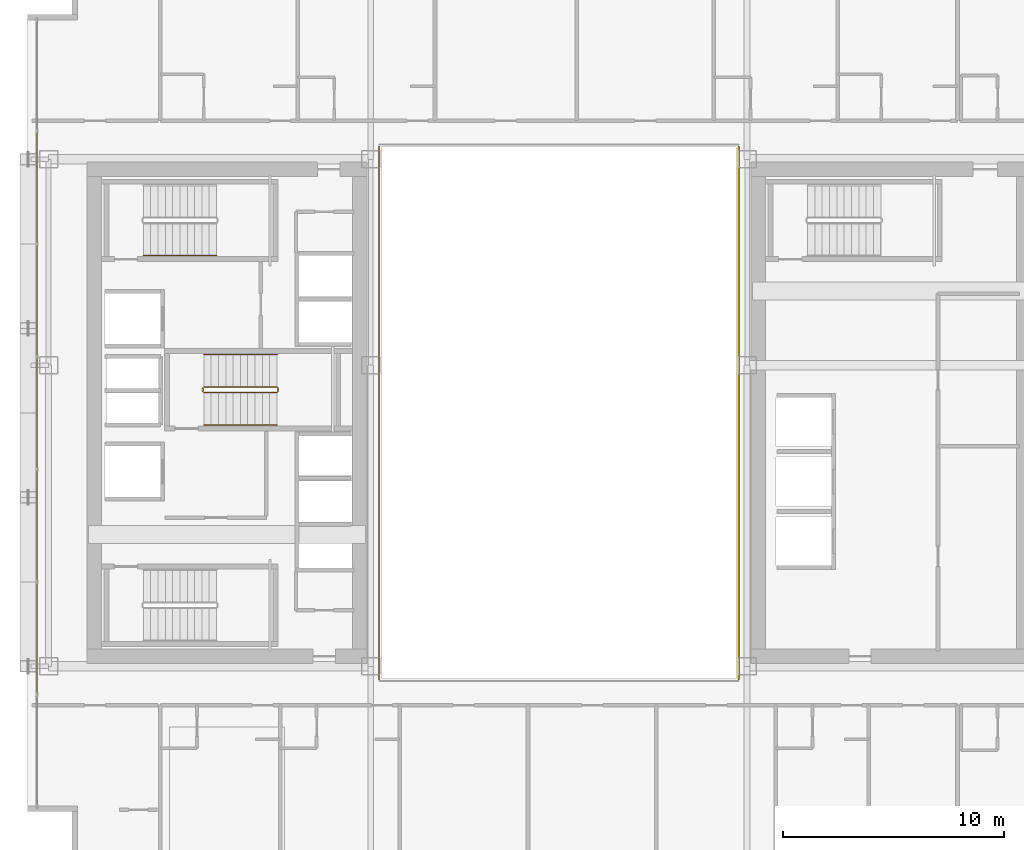
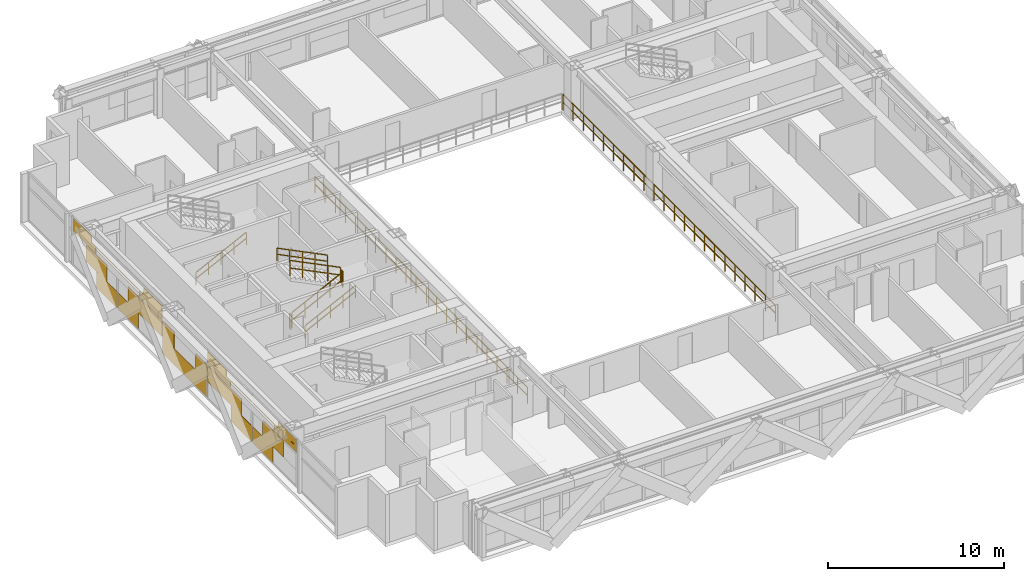
# One storey, part 33 of 35: 9 railings, 1 covering.
"""IFC4 building model written with IfcOpenShell, lengths in metres."""

from ifc_helpers import new_model, si_unit, direction, frame, origin, origin_2d, place, context, subcontext, project, spatial, rectangle, extrude, material, layer, layer_set, type_object, element, save


model = new_model("IFC4")

# Units and contexts
model_context = context("Model", 3, precision=1e-05, world=origin(), true_north=direction((0.0, 1.0)))
body_context = subcontext(model_context, "Body", "Model", "MODEL_VIEW")
ifc_project = project(units=[si_unit("LENGTHUNIT", "METRE"), si_unit("AREAUNIT", "SQUARE_METRE"), si_unit("VOLUMEUNIT", "CUBIC_METRE"), si_unit("PLANEANGLEUNIT", "RADIAN"), si_unit("MASSUNIT", "GRAM", prefix="KILO")], contexts=[model_context])

# Site, building, storey
site_placement = place(None, origin())
site = spatial("IfcSite", under=ifc_project, at=site_placement, CompositionType="ELEMENT")
building_placement = place(site_placement, origin())
building = spatial("IfcBuilding", under=site, at=building_placement, Name="Ocotamira Hotel", CompositionType="ELEMENT")
storey_placement = place(building_placement, frame((0.0, 0.0, 122.39990234375)))
storey = spatial("IfcBuildingStorey", under=building, at=storey_placement, Name="L30", CompositionType="ELEMENT", Elevation=122.39990234375)

# Covering
ifc_material_1 = material(Name="Insulated pale-metal aluminium spandrel panel", Category="aluminium")
ifc_layer = layer(ifc_material_1, 0.044921875)
ifc_layer_set = layer_set([ifc_layer], Name="Insulated pale-metal aluminium spandrel panel")
covering_type = type_object("IfcCoveringType", Name="COV-INFILL-45", PredefinedType="CLADDING", material=ifc_layer_set)
covering_placement = place(storey_placement, origin())
element("IfcCovering", 1, at=covering_placement, inside=storey, type_object=covering_type, Name="L30 Curtain Wall Infill CW-3 CW-L30-W", PredefinedType="CLADDING", context=body_context, shape_type="SweptSolid", body=[
    extrude(rectangle(XDim=2.35107421875, YDim=0.044921875, at=origin_2d()), frame((8.419921875, 15.988525390625, 1.1943359375), z_axis=(0.0, 0.0, 1.0), x_axis=(0.0, 1.0, 0.0)), (0.0, 0.0, 1.0), 1.117919921875),
    extrude(rectangle(XDim=2.331787109375, YDim=0.044921875, at=origin_2d()), frame((8.419921875, 17.1650390625, 0.07568359375), z_axis=(0.0, 0.0, 1.0), x_axis=(0.0, 1.0, 0.0)), (0.0, 0.0, 1.0), 1.117919921875),
    extrude(rectangle(XDim=2.572265625, YDim=0.044921875, at=origin_2d()), frame((8.419921875, 14.6123046875, 2.38818359375), z_axis=(0.0, 0.0, 1.0), x_axis=(0.0, 1.0, 0.0)), (0.0, 0.0, 1.0), 0.413330078125),
    extrude(rectangle(XDim=5.004638671875, YDim=0.044921875, at=origin_2d()), frame((8.419921875, 15.82861328125, 2.802490234375), z_axis=(0.0, 0.0, 1.0), x_axis=(0.0, 1.0, 0.0)), (0.0, 0.0, 1.0), 0.033203125),
    extrude(rectangle(XDim=2.096435546875, YDim=0.044921875, at=origin_2d()), frame((8.419921875, 14.37451171875, 2.8369140625), z_axis=(0.0, 0.0, 1.0), x_axis=(0.0, 1.0, 0.0)), (0.0, 0.0, 1.0), 0.44775390625),
    extrude(rectangle(XDim=2.322265625, YDim=0.044921875, at=origin_2d()), frame((8.419921875, 19.572998046875, 0.07568359375), z_axis=(0.0, 0.0, 1.0), x_axis=(0.0, 1.0, 0.0)), (0.0, 0.0, 1.0), 1.117919921875),
    extrude(rectangle(XDim=3.847412109375, YDim=0.044921875, at=origin_2d()), frame((8.419921875, 21.492919921875, 1.1943359375), z_axis=(0.0, 0.0, 1.0), x_axis=(0.0, 1.0, 0.0)), (0.0, 0.0, 1.0), 1.117919921875),
    extrude(rectangle(XDim=5.004638671875, YDim=0.044921875, at=origin_2d()), frame((8.419921875, 20.914306640625, 2.802490234375), z_axis=(0.0, 0.0, 1.0), x_axis=(0.0, 1.0, 0.0)), (0.0, 0.0, 1.0), 0.033203125),
    extrude(rectangle(XDim=2.581787109375, YDim=0.044921875, at=origin_2d()), frame((8.419921875, 22.125732421875, 2.38818359375), z_axis=(0.0, 0.0, 1.0), x_axis=(0.0, 1.0, 0.0)), (0.0, 0.0, 1.0), 0.413330078125),
    extrude(rectangle(XDim=2.106201171875, YDim=0.044921875, at=origin_2d()), frame((8.419921875, 22.363525390625, 2.8369140625), z_axis=(0.0, 0.0, 1.0), x_axis=(0.0, 1.0, 0.0)), (0.0, 0.0, 1.0), 0.44775390625),
    extrude(rectangle(XDim=5.004638671875, YDim=0.044921875, at=origin_2d()), frame((8.419921875, 26.0, 0.07568359375), z_axis=(0.0, 0.0, 1.0), x_axis=(0.0, 1.0, 0.0)), (0.0, 0.0, 1.0), 1.117919921875),
    extrude(rectangle(XDim=1.2998046875, YDim=0.044921875, at=origin_2d()), frame((8.419921875, 24.1474609375, 1.1943359375), z_axis=(0.0, 0.0, 1.0), x_axis=(0.0, 1.0, 0.0)), (0.0, 0.0, 1.0), 1.117919921875),
    extrude(rectangle(XDim=1.2998046875, YDim=0.044921875, at=origin_2d()), frame((8.419921875, 27.8525390625, 1.1943359375), z_axis=(0.0, 0.0, 1.0), x_axis=(0.0, 1.0, 0.0)), (0.0, 0.0, 1.0), 1.117919921875),
    extrude(rectangle(XDim=3.847412109375, YDim=0.044921875, at=origin_2d()), frame((8.419921875, 30.507080078125, 1.1943359375), z_axis=(0.0, 0.0, 1.0), x_axis=(0.0, 1.0, 0.0)), (0.0, 0.0, 1.0), 1.117919921875),
    extrude(rectangle(XDim=2.322265625, YDim=0.044921875, at=origin_2d()), frame((8.419921875, 32.427001953125, 0.07568359375), z_axis=(0.0, 0.0, 1.0), x_axis=(0.0, 1.0, 0.0)), (0.0, 0.0, 1.0), 1.117919921875),
    extrude(rectangle(XDim=2.581787109375, YDim=0.044921875, at=origin_2d()), frame((8.419921875, 29.874267578125, 2.38818359375), z_axis=(0.0, 0.0, 1.0), x_axis=(0.0, 1.0, 0.0)), (0.0, 0.0, 1.0), 0.413330078125),
    extrude(rectangle(XDim=5.004638671875, YDim=0.044921875, at=origin_2d()), frame((8.419921875, 31.085693359375, 2.802490234375), z_axis=(0.0, 0.0, 1.0), x_axis=(0.0, 1.0, 0.0)), (0.0, 0.0, 1.0), 0.033203125),
    extrude(rectangle(XDim=2.106201171875, YDim=0.044921875, at=origin_2d()), frame((8.419921875, 29.636474609375, 2.8369140625), z_axis=(0.0, 0.0, 1.0), x_axis=(0.0, 1.0, 0.0)), (0.0, 0.0, 1.0), 0.44775390625),
    extrude(rectangle(XDim=2.331787109375, YDim=0.044921875, at=origin_2d()), frame((8.419921875, 34.8349609375, 0.07568359375), z_axis=(0.0, 0.0, 1.0), x_axis=(0.0, 1.0, 0.0)), (0.0, 0.0, 1.0), 1.117919921875),
    extrude(rectangle(XDim=2.35107421875, YDim=0.044921875, at=origin_2d()), frame((8.419921875, 36.011474609375, 1.1943359375), z_axis=(0.0, 0.0, 1.0), x_axis=(0.0, 1.0, 0.0)), (0.0, 0.0, 1.0), 1.117919921875),
    extrude(rectangle(XDim=5.004638671875, YDim=0.044921875, at=origin_2d()), frame((8.419921875, 36.17138671875, 2.802490234375), z_axis=(0.0, 0.0, 1.0), x_axis=(0.0, 1.0, 0.0)), (0.0, 0.0, 1.0), 0.033203125),
    extrude(rectangle(XDim=2.572265625, YDim=0.044921875, at=origin_2d()), frame((8.419921875, 37.3876953125, 2.38818359375), z_axis=(0.0, 0.0, 1.0), x_axis=(0.0, 1.0, 0.0)), (0.0, 0.0, 1.0), 0.413330078125),
    extrude(rectangle(XDim=2.096435546875, YDim=0.044921875, at=origin_2d()), frame((8.419921875, 37.62548828125, 2.8369140625), z_axis=(0.0, 0.0, 1.0), x_axis=(0.0, 1.0, 0.0)), (0.0, 0.0, 1.0), 0.44775390625),
])

# Railings
ifc_material_2 = material(Name="Painted steel stair guardrail", Category="steel")
railing_type_1 = type_object("IfcRailingType", Name="RL-EDGE-1150", PredefinedType="GUARDRAIL", material=ifc_material_2)
railing_1_placement = place(storey_placement, frame((40.1201171875, 13.9599609375, 0.0)))
element("IfcRailing", 2, at=railing_1_placement, inside=storey, type_object=railing_type_1, Name="L30 Central Atrium Edge Guardrail E", PredefinedType="GUARDRAIL", context=body_context, shape_type="SweptSolid", body=[
    extrude(rectangle(XDim=0.048095703125, YDim=0.048095703125, at=origin_2d()), frame((0.0, 0.0, 1.1259765625), z_axis=(0.0, 1.0, 0.0), x_axis=(-1.0, 0.0, 0.0)), (0.0, 0.0, 1.0), 24.080078125),
    extrude(rectangle(XDim=0.048095703125, YDim=0.048095703125, at=origin_2d()), frame((0.0, 0.0, 0.574951171875), z_axis=(0.0, 1.0, 0.0), x_axis=(-1.0, 0.0, 0.0)), (0.0, 0.0, 1.0), 24.080078125),
    extrude(rectangle(XDim=0.0419921875, YDim=0.0419921875, at=origin_2d()), origin(), (0.0, 0.0, 1.0), 1.101806640625),
    extrude(rectangle(XDim=0.0419921875, YDim=0.0419921875, at=origin_2d()), frame((0.0, 1.146728515625, 0.0)), (0.0, 0.0, 1.0), 1.101806640625),
    extrude(rectangle(XDim=0.0419921875, YDim=0.0419921875, at=origin_2d()), frame((0.0, 2.29345703125, 0.0)), (0.0, 0.0, 1.0), 1.101806640625),
    extrude(rectangle(XDim=0.0419921875, YDim=0.0419921875, at=origin_2d()), frame((0.0, 3.43994140625, 0.0)), (0.0, 0.0, 1.0), 1.101806640625),
    extrude(rectangle(XDim=0.0419921875, YDim=0.0419921875, at=origin_2d()), frame((0.0, 4.586669921875, 0.0)), (0.0, 0.0, 1.0), 1.101806640625),
    extrude(rectangle(XDim=0.0419921875, YDim=0.0419921875, at=origin_2d()), frame((0.0, 5.7333984375, 0.0)), (0.0, 0.0, 1.0), 1.101806640625),
    extrude(rectangle(XDim=0.0419921875, YDim=0.0419921875, at=origin_2d()), frame((0.0, 6.880126953125, 0.0)), (0.0, 0.0, 1.0), 1.101806640625),
    extrude(rectangle(XDim=0.0419921875, YDim=0.0419921875, at=origin_2d()), frame((0.0, 8.026611328125, 0.0)), (0.0, 0.0, 1.0), 1.101806640625),
    extrude(rectangle(XDim=0.0419921875, YDim=0.0419921875, at=origin_2d()), frame((0.0, 9.17333984375, 0.0)), (0.0, 0.0, 1.0), 1.101806640625),
    extrude(rectangle(XDim=0.0419921875, YDim=0.0419921875, at=origin_2d()), frame((0.0, 10.320068359375, 0.0)), (0.0, 0.0, 1.0), 1.101806640625),
    extrude(rectangle(XDim=0.0419921875, YDim=0.0419921875, at=origin_2d()), frame((0.0, 11.466796875, 0.0)), (0.0, 0.0, 1.0), 1.101806640625),
    extrude(rectangle(XDim=0.0419921875, YDim=0.0419921875, at=origin_2d()), frame((0.0, 12.61328125, 0.0)), (0.0, 0.0, 1.0), 1.101806640625),
    extrude(rectangle(XDim=0.0419921875, YDim=0.0419921875, at=origin_2d()), frame((0.0, 13.760009765625, 0.0)), (0.0, 0.0, 1.0), 1.101806640625),
    extrude(rectangle(XDim=0.0419921875, YDim=0.0419921875, at=origin_2d()), frame((0.0, 14.90673828125, 0.0)), (0.0, 0.0, 1.0), 1.101806640625),
    extrude(rectangle(XDim=0.0419921875, YDim=0.0419921875, at=origin_2d()), frame((0.0, 16.053466796875, 0.0)), (0.0, 0.0, 1.0), 1.101806640625),
    extrude(rectangle(XDim=0.0419921875, YDim=0.0419921875, at=origin_2d()), frame((0.0, 17.199951171875, 0.0)), (0.0, 0.0, 1.0), 1.101806640625),
    extrude(rectangle(XDim=0.0419921875, YDim=0.0419921875, at=origin_2d()), frame((0.0, 18.3466796875, 0.0)), (0.0, 0.0, 1.0), 1.101806640625),
    extrude(rectangle(XDim=0.0419921875, YDim=0.0419921875, at=origin_2d()), frame((0.0, 19.493408203125, 0.0)), (0.0, 0.0, 1.0), 1.101806640625),
    extrude(rectangle(XDim=0.0419921875, YDim=0.0419921875, at=origin_2d()), frame((0.0, 20.64013671875, 0.0)), (0.0, 0.0, 1.0), 1.101806640625),
    extrude(rectangle(XDim=0.0419921875, YDim=0.0419921875, at=origin_2d()), frame((0.0, 21.78662109375, 0.0)), (0.0, 0.0, 1.0), 1.101806640625),
    extrude(rectangle(XDim=0.0419921875, YDim=0.0419921875, at=origin_2d()), frame((0.0, 22.933349609375, 0.0)), (0.0, 0.0, 1.0), 1.101806640625),
    extrude(rectangle(XDim=0.0419921875, YDim=0.0419921875, at=origin_2d()), frame((0.0, 24.080078125, 0.0)), (0.0, 0.0, 1.0), 1.101806640625),
])
railing_2_placement = place(storey_placement, frame((23.8798828125, 38.0400390625, 0.0)))
element("IfcRailing", 3, at=railing_2_placement, inside=storey, type_object=railing_type_1, Name="L30 Central Atrium Edge Guardrail W", PredefinedType="GUARDRAIL", context=body_context, shape_type="SweptSolid", body=[
    extrude(rectangle(XDim=0.048095703125, YDim=0.048095703125, at=origin_2d()), frame((0.0, 0.0, 1.1259765625), z_axis=(0.0, -1.0, 0.0), x_axis=(1.0, 0.0, 0.0)), (0.0, 0.0, 1.0), 24.080078125),
    extrude(rectangle(XDim=0.048095703125, YDim=0.048095703125, at=origin_2d()), frame((0.0, 0.0, 0.574951171875), z_axis=(0.0, -1.0, 0.0), x_axis=(1.0, 0.0, 0.0)), (0.0, 0.0, 1.0), 24.080078125),
    extrude(rectangle(XDim=0.0419921875, YDim=0.0419921875, at=origin_2d()), origin(), (0.0, 0.0, 1.0), 1.101806640625),
    extrude(rectangle(XDim=0.0419921875, YDim=0.0419921875, at=origin_2d()), frame((0.0, -1.146728515625, 0.0)), (0.0, 0.0, 1.0), 1.101806640625),
    extrude(rectangle(XDim=0.0419921875, YDim=0.0419921875, at=origin_2d()), frame((0.0, -2.29345703125, 0.0)), (0.0, 0.0, 1.0), 1.101806640625),
    extrude(rectangle(XDim=0.0419921875, YDim=0.0419921875, at=origin_2d()), frame((0.0, -3.43994140625, 0.0)), (0.0, 0.0, 1.0), 1.101806640625),
    extrude(rectangle(XDim=0.0419921875, YDim=0.0419921875, at=origin_2d()), frame((0.0, -4.586669921875, 0.0)), (0.0, 0.0, 1.0), 1.101806640625),
    extrude(rectangle(XDim=0.0419921875, YDim=0.0419921875, at=origin_2d()), frame((0.0, -5.7333984375, 0.0)), (0.0, 0.0, 1.0), 1.101806640625),
    extrude(rectangle(XDim=0.0419921875, YDim=0.0419921875, at=origin_2d()), frame((0.0, -6.880126953125, 0.0)), (0.0, 0.0, 1.0), 1.101806640625),
    extrude(rectangle(XDim=0.0419921875, YDim=0.0419921875, at=origin_2d()), frame((0.0, -8.026611328125, 0.0)), (0.0, 0.0, 1.0), 1.101806640625),
    extrude(rectangle(XDim=0.0419921875, YDim=0.0419921875, at=origin_2d()), frame((0.0, -9.17333984375, 0.0)), (0.0, 0.0, 1.0), 1.101806640625),
    extrude(rectangle(XDim=0.0419921875, YDim=0.0419921875, at=origin_2d()), frame((0.0, -10.320068359375, 0.0)), (0.0, 0.0, 1.0), 1.101806640625),
    extrude(rectangle(XDim=0.0419921875, YDim=0.0419921875, at=origin_2d()), frame((0.0, -11.466796875, 0.0)), (0.0, 0.0, 1.0), 1.101806640625),
    extrude(rectangle(XDim=0.0419921875, YDim=0.0419921875, at=origin_2d()), frame((0.0, -12.61328125, 0.0)), (0.0, 0.0, 1.0), 1.101806640625),
    extrude(rectangle(XDim=0.0419921875, YDim=0.0419921875, at=origin_2d()), frame((0.0, -13.760009765625, 0.0)), (0.0, 0.0, 1.0), 1.101806640625),
    extrude(rectangle(XDim=0.0419921875, YDim=0.0419921875, at=origin_2d()), frame((0.0, -14.90673828125, 0.0)), (0.0, 0.0, 1.0), 1.101806640625),
    extrude(rectangle(XDim=0.0419921875, YDim=0.0419921875, at=origin_2d()), frame((0.0, -16.053466796875, 0.0)), (0.0, 0.0, 1.0), 1.101806640625),
    extrude(rectangle(XDim=0.0419921875, YDim=0.0419921875, at=origin_2d()), frame((0.0, -17.199951171875, 0.0)), (0.0, 0.0, 1.0), 1.101806640625),
    extrude(rectangle(XDim=0.0419921875, YDim=0.0419921875, at=origin_2d()), frame((0.0, -18.3466796875, 0.0)), (0.0, 0.0, 1.0), 1.101806640625),
    extrude(rectangle(XDim=0.0419921875, YDim=0.0419921875, at=origin_2d()), frame((0.0, -19.493408203125, 0.0)), (0.0, 0.0, 1.0), 1.101806640625),
    extrude(rectangle(XDim=0.0419921875, YDim=0.0419921875, at=origin_2d()), frame((0.0, -20.64013671875, 0.0)), (0.0, 0.0, 1.0), 1.101806640625),
    extrude(rectangle(XDim=0.0419921875, YDim=0.0419921875, at=origin_2d()), frame((0.0, -21.78662109375, 0.0)), (0.0, 0.0, 1.0), 1.101806640625),
    extrude(rectangle(XDim=0.0419921875, YDim=0.0419921875, at=origin_2d()), frame((0.0, -22.933349609375, 0.0)), (0.0, 0.0, 1.0), 1.101806640625),
    extrude(rectangle(XDim=0.0419921875, YDim=0.0419921875, at=origin_2d()), frame((0.0, -24.080078125, 0.0)), (0.0, 0.0, 1.0), 1.101806640625),
])
ifc_material_3 = material(Name="Brushed stainless steel handrail", Category="steel")
railing_type_2 = type_object("IfcRailingType", Name="RL-HAND-900", PredefinedType="HANDRAIL", material=ifc_material_3)
for number, where, name in (
    (4, (13.22998046875, 33.10009765625, 0.327392578125), "L30 ST-2 stair handrail 1"),
    (5, (15.9599609375, 25.449951171875, 0.327392578125), "L30 ST-3 stair handrail 1"),
):
    element("IfcRailing", number, at=place(storey_placement, frame(where)), inside=storey, type_object=railing_type_2, Name=name, PredefinedType="HANDRAIL", context=body_context, shape_type="SweptSolid", body=[
        extrude(rectangle(XDim=0.048095703125, YDim=0.048095703125, at=origin_2d()), frame((0.0, 0.0, 0.8759765625), z_axis=(0.895920123917, 0.0, 0.444215186098), x_axis=(0.0, 1.0, 0.0)), (0.0, 0.0, 1.0), 3.683349609375),
        extrude(rectangle(XDim=0.048095703125, YDim=0.048095703125, at=origin_2d()), frame((0.0, 0.0, 0.449951171875), z_axis=(0.895920123917, 0.0, 0.444215186098), x_axis=(0.0, 1.0, 0.0)), (0.0, 0.0, 1.0), 3.683349609375),
        extrude(rectangle(XDim=0.0419921875, YDim=0.0419921875, at=origin_2d()), origin(), (0.0, 0.0, 1.0), 0.851806640625),
        extrude(rectangle(XDim=0.0419921875, YDim=0.0419921875, at=origin_2d()), frame((0.824951171875, 0.0, 0.4091796875)), (0.0, 0.0, 1.0), 0.851806640625),
        extrude(rectangle(XDim=0.0419921875, YDim=0.0419921875, at=origin_2d()), frame((1.64990234375, 0.0, 0.818115234375)), (0.0, 0.0, 1.0), 0.851806640625),
        extrude(rectangle(XDim=0.0419921875, YDim=0.0419921875, at=origin_2d()), frame((2.47509765625, 0.0, 1.22705078125)), (0.0, 0.0, 1.0), 0.851806640625),
        extrude(rectangle(XDim=0.0419921875, YDim=0.0419921875, at=origin_2d()), frame((3.300048828125, 0.0, 1.63623046875)), (0.0, 0.0, 1.0), 0.851806640625),
    ])
railing_3_placement = place(storey_placement, frame((19.260009765625, 28.6298828125, 2.12744140625)))
element("IfcRailing", 6, at=railing_3_placement, inside=storey, type_object=railing_type_2, Name="L30 ST-3 stair handrail 2", PredefinedType="HANDRAIL", context=body_context, shape_type="SweptSolid", body=[
    extrude(rectangle(XDim=0.048095703125, YDim=0.048095703125, at=origin_2d()), frame((0.0, 0.0, 0.8759765625), z_axis=(-0.895920123917, 0.0, 0.444215186098), x_axis=(0.0, -1.0, 0.0)), (0.0, 0.0, 1.0), 3.683349609375),
    extrude(rectangle(XDim=0.048095703125, YDim=0.048095703125, at=origin_2d()), frame((0.0, 0.0, 0.449951171875), z_axis=(-0.895920123917, 0.0, 0.444215186098), x_axis=(0.0, -1.0, 0.0)), (0.0, 0.0, 1.0), 3.683349609375),
    extrude(rectangle(XDim=0.0419921875, YDim=0.0419921875, at=origin_2d()), origin(), (0.0, 0.0, 1.0), 0.851806640625),
    extrude(rectangle(XDim=0.0419921875, YDim=0.0419921875, at=origin_2d()), frame((-0.824951171875, 0.0, 0.4091796875)), (0.0, 0.0, 1.0), 0.851806640625),
    extrude(rectangle(XDim=0.0419921875, YDim=0.0419921875, at=origin_2d()), frame((-1.64990234375, 0.0, 0.818115234375)), (0.0, 0.0, 1.0), 0.851806640625),
    extrude(rectangle(XDim=0.0419921875, YDim=0.0419921875, at=origin_2d()), frame((-2.47509765625, 0.0, 1.22705078125)), (0.0, 0.0, 1.0), 0.851806640625),
    extrude(rectangle(XDim=0.0419921875, YDim=0.0419921875, at=origin_2d()), frame((-3.300048828125, 0.0, 1.63623046875)), (0.0, 0.0, 1.0), 0.851806640625),
])
railing_type_3 = type_object("IfcRailingType", Name="RL-STAIR-1100", PredefinedType="GUARDRAIL", material=ifc_material_2)
railing_4_placement = place(storey_placement, frame((15.9599609375, 26.909912109375, 0.163818359375)))
element("IfcRailing", 7, at=railing_4_placement, inside=storey, type_object=railing_type_3, Name="L30 ST-3 stair guard 1", PredefinedType="GUARDRAIL", context=body_context, shape_type="SweptSolid", body=[
    extrude(rectangle(XDim=0.048095703125, YDim=0.048095703125, at=origin_2d()), frame((0.0, 0.0, 1.076171875), z_axis=(0.895920123917, 0.0, 0.444215186098), x_axis=(0.0, 1.0, 0.0)), (0.0, 0.0, 1.0), 3.683349609375),
    extrude(rectangle(XDim=0.048095703125, YDim=0.048095703125, at=origin_2d()), frame((0.0, 0.0, 0.550048828125), z_axis=(0.895920123917, 0.0, 0.444215186098), x_axis=(0.0, 1.0, 0.0)), (0.0, 0.0, 1.0), 3.683349609375),
    extrude(rectangle(XDim=0.0419921875, YDim=0.0419921875, at=origin_2d()), origin(), (0.0, 0.0, 1.0), 1.052001953125),
    extrude(rectangle(XDim=0.0419921875, YDim=0.0419921875, at=origin_2d()), frame((0.824951171875, 0.0, 0.4091796875)), (0.0, 0.0, 1.0), 1.052001953125),
    extrude(rectangle(XDim=0.0419921875, YDim=0.0419921875, at=origin_2d()), frame((1.64990234375, 0.0, 0.818115234375)), (0.0, 0.0, 1.0), 1.052001953125),
    extrude(rectangle(XDim=0.0419921875, YDim=0.0419921875, at=origin_2d()), frame((2.47509765625, 0.0, 1.22705078125)), (0.0, 0.0, 1.0), 1.052001953125),
    extrude(rectangle(XDim=0.0419921875, YDim=0.0419921875, at=origin_2d()), frame((3.300048828125, 0.0, 1.63623046875)), (0.0, 0.0, 1.0), 1.052001953125),
])
railing_5_placement = place(storey_placement, frame((19.31005859375, 26.9599609375, 1.800048828125)))
element("IfcRailing", 8, at=railing_5_placement, inside=storey, type_object=railing_type_3, Name="L30 ST-3 stair guard 2", PredefinedType="GUARDRAIL", context=body_context, shape_type="SweptSolid", body=[
    extrude(rectangle(XDim=0.048095703125, YDim=0.048095703125, at=origin_2d()), frame((0.0, 0.0, 1.076171875), z_axis=(0.0, 1.0, 0.0), x_axis=(-1.0, 0.0, 0.0)), (0.0, 0.0, 1.0), 0.16015625),
    extrude(rectangle(XDim=0.048095703125, YDim=0.048095703125, at=origin_2d()), frame((0.0, 0.0, 0.550048828125), z_axis=(0.0, 1.0, 0.0), x_axis=(-1.0, 0.0, 0.0)), (0.0, 0.0, 1.0), 0.16015625),
    extrude(rectangle(XDim=0.0419921875, YDim=0.0419921875, at=origin_2d()), origin(), (0.0, 0.0, 1.0), 1.052001953125),
    extrude(rectangle(XDim=0.0419921875, YDim=0.0419921875, at=origin_2d()), frame((0.0, 0.16015625, 0.0)), (0.0, 0.0, 1.0), 1.052001953125),
])
railing_6_placement = place(storey_placement, frame((19.260009765625, 27.169921875, 1.963623046875)))
element("IfcRailing", 9, at=railing_6_placement, inside=storey, type_object=railing_type_3, Name="L30 ST-3 stair guard 3", PredefinedType="GUARDRAIL", context=body_context, shape_type="SweptSolid", body=[
    extrude(rectangle(XDim=0.048095703125, YDim=0.048095703125, at=origin_2d()), frame((0.0, 0.0, 1.076171875), z_axis=(-0.895893744519, 0.0, 0.4442683857), x_axis=(0.0, -1.0, 0.0)), (0.0, 0.0, 1.0), 3.68359375),
    extrude(rectangle(XDim=0.048095703125, YDim=0.048095703125, at=origin_2d()), frame((0.0, 0.0, 0.550048828125), z_axis=(-0.895893744519, 0.0, 0.4442683857), x_axis=(0.0, -1.0, 0.0)), (0.0, 0.0, 1.0), 3.68359375),
    extrude(rectangle(XDim=0.0419921875, YDim=0.0419921875, at=origin_2d()), origin(), (0.0, 0.0, 1.0), 1.052001953125),
    extrude(rectangle(XDim=0.0419921875, YDim=0.0419921875, at=origin_2d()), frame((-0.824951171875, 0.0, 0.4091796875)), (0.0, 0.0, 1.0), 1.052001953125),
    extrude(rectangle(XDim=0.0419921875, YDim=0.0419921875, at=origin_2d()), frame((-1.64990234375, 0.0, 0.818359375)), (0.0, 0.0, 1.0), 1.052001953125),
    extrude(rectangle(XDim=0.0419921875, YDim=0.0419921875, at=origin_2d()), frame((-2.47509765625, 0.0, 1.227294921875)), (0.0, 0.0, 1.0), 1.052001953125),
    extrude(rectangle(XDim=0.0419921875, YDim=0.0419921875, at=origin_2d()), frame((-3.300048828125, 0.0, 1.636474609375)), (0.0, 0.0, 1.0), 1.052001953125),
])
railing_7_placement = place(storey_placement, frame((15.909912109375, 26.9599609375, 0.0)))
element("IfcRailing", 10, at=railing_7_placement, inside=storey, type_object=railing_type_3, Name="L30 ST-3 stair guard 4", PredefinedType="GUARDRAIL", context=body_context, shape_type="SweptSolid", body=[
    extrude(rectangle(XDim=0.048095703125, YDim=0.048095703125, at=origin_2d()), frame((0.0, 0.0, 1.076171875), z_axis=(0.0, 1.0, 0.0), x_axis=(-1.0, 0.0, 0.0)), (0.0, 0.0, 1.0), 0.16015625),
    extrude(rectangle(XDim=0.048095703125, YDim=0.048095703125, at=origin_2d()), frame((0.0, 0.0, 0.550048828125), z_axis=(0.0, 1.0, 0.0), x_axis=(-1.0, 0.0, 0.0)), (0.0, 0.0, 1.0), 0.16015625),
    extrude(rectangle(XDim=0.0419921875, YDim=0.0419921875, at=origin_2d()), origin(), (0.0, 0.0, 1.0), 1.052001953125),
    extrude(rectangle(XDim=0.0419921875, YDim=0.0419921875, at=origin_2d()), frame((0.0, 0.16015625, 0.0)), (0.0, 0.0, 1.0), 1.052001953125),
])

save(model, "model.ifc")
